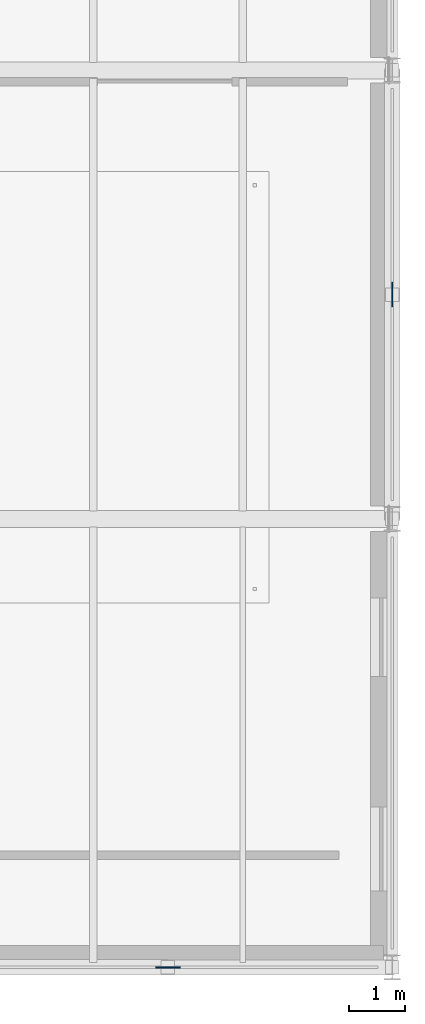
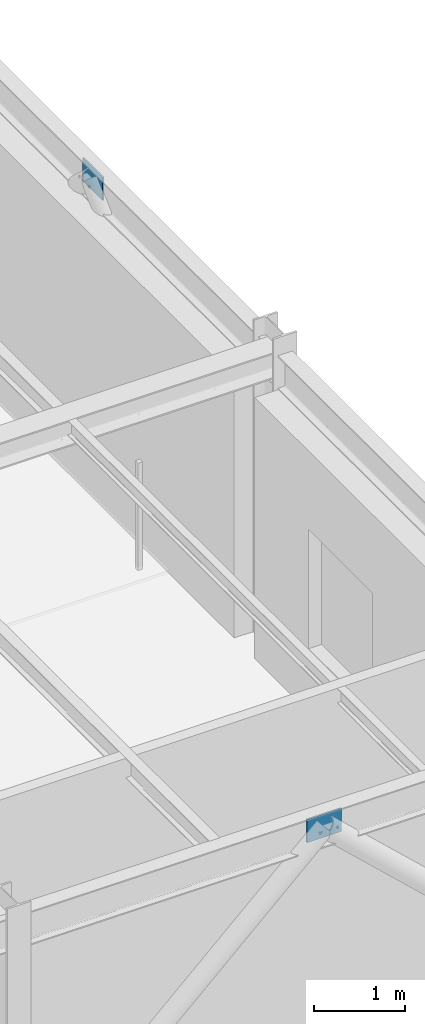
# One storey, part 77 of 124: 2 plates.
"""IFC4 building model written with IfcOpenShell, lengths in metres."""

from ifc_helpers import new_model, si_unit, direction, frame, origin, origin_2d, place, context, subcontext, project, spatial, rectangle, extrude, material, layer, layer_set, type_object, element, save


model = new_model("IFC4")

# Units and contexts
model_context = context("Model", 3, precision=1e-05, world=origin(), true_north=direction((0.0, 1.0)))
body_context = subcontext(model_context, "Body", "Model", "MODEL_VIEW")
ifc_project = project(units=[si_unit("LENGTHUNIT", "METRE"), si_unit("AREAUNIT", "SQUARE_METRE"), si_unit("VOLUMEUNIT", "CUBIC_METRE"), si_unit("PLANEANGLEUNIT", "RADIAN"), si_unit("MASSUNIT", "GRAM", prefix="KILO")], contexts=[model_context])

# Site, building, storey
site_placement = place(None, origin())
site = spatial("IfcSite", under=ifc_project, at=site_placement, CompositionType="ELEMENT")
building_placement = place(site_placement, origin())
building = spatial("IfcBuilding", under=site, at=building_placement, Name="Sundkrona Museum", CompositionType="ELEMENT")
storey_placement = place(building_placement, frame((0.0, 0.0, 17.60009765625)))
storey = spatial("IfcBuildingStorey", under=building, at=storey_placement, Name="L03", CompositionType="ELEMENT", Elevation=17.60009765625)

# Plates
ifc_material = material(Name="Steel S355J2", Category="steel")
ifc_layer = layer(ifc_material, 0.02197265625)
ifc_layer_set = layer_set([ifc_layer], Name="Steel S355J2")
plate_type = type_object("IfcPlateType", Name="GP-5", PredefinedType="USERDEFINED", material=ifc_layer_set)
for number, where, z_axis, x_axis, name in (
    (1, (164.0, 0.0, 3.5849609375), (0.0, 0.0, 1.0), (1.0, 0.0, 0.0), "L03 Chevron Apex Gusset Plate 005"),
    (2, (168.0, 12.0, 3.5849609375), (0.0, 0.0, 1.0), (0.0, 1.0, 0.0), "L03 Chevron Apex Gusset Plate 011"),
):
    element("IfcPlate", number, at=place(storey_placement, frame(where, z_axis=z_axis, x_axis=x_axis)), inside=storey, type_object=plate_type, Name=name, ObjectType="GUSSET PLATE", PredefinedType="USERDEFINED", context=body_context, shape_type="SweptSolid", body=[
        extrude(rectangle(XDim=0.43994140625, YDim=0.02197265625, at=origin_2d()), origin(), (0.0, 0.0, 1.0), 0.31005859375),
    ])

save(model, "model.ifc")
